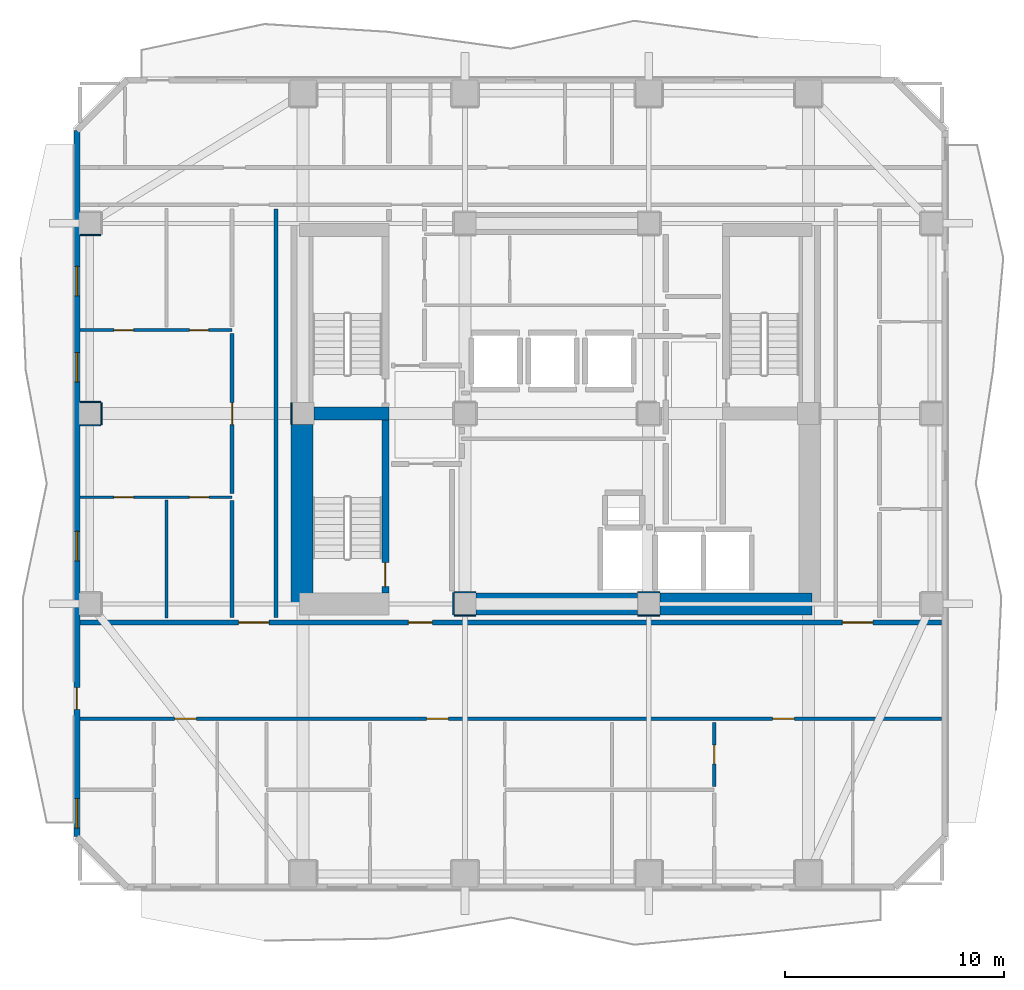
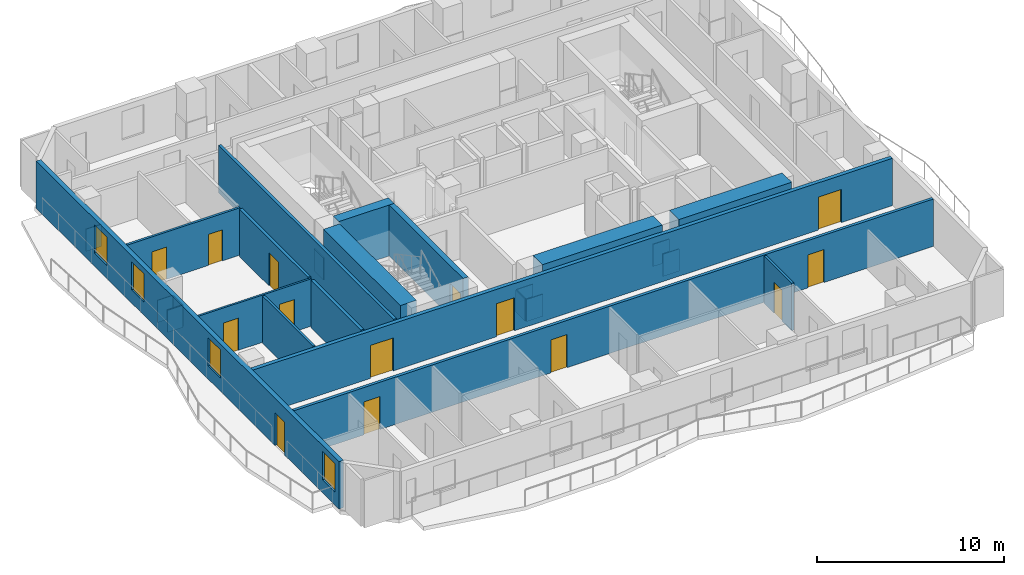
# One storey, part 3 of 11: 25 walls, 14 doors, 4 windows, 18 openings.
"""IFC4 building model written with IfcOpenShell, lengths in metres."""

from ifc_helpers import new_model, si_unit, direction, frame, frame_2d, origin, place, context, subcontext, project, spatial, rectangle, extrude, material, layer, layer_set, type_object, element, fill, save


model = new_model("IFC4")

# Units and contexts
model_context = context("Model", 3, precision=1e-05, world=origin(), true_north=direction((0.0, 1.0)))
body_context = subcontext(model_context, "Body", "Model", "MODEL_VIEW")
ifc_project = project(units=[si_unit("LENGTHUNIT", "METRE"), si_unit("AREAUNIT", "SQUARE_METRE"), si_unit("VOLUMEUNIT", "CUBIC_METRE"), si_unit("PLANEANGLEUNIT", "RADIAN"), si_unit("MASSUNIT", "GRAM", prefix="KILO")], contexts=[model_context])

# Site, building, storey
site_placement = place(None, origin())
site = spatial("IfcSite", under=ifc_project, at=site_placement, CompositionType="ELEMENT")
building_placement = place(site_placement, origin())
building = spatial("IfcBuilding", under=site, at=building_placement, Name="Solanera Arch Residences", CompositionType="ELEMENT")
storey_placement = place(building_placement, frame((0.0, 0.0, 112.719970703125)))
storey = spatial("IfcBuildingStorey", under=building, at=storey_placement, Name="L32", CompositionType="ELEMENT", Elevation=112.719970703125)

# Walls
ifc_material_1 = material(Name="Fire-Rated Gypsum Stud Partition", Category="gypsum")
ifc_layer_1 = layer(ifc_material_1, 0.06005859375)
ifc_layer_set_1 = layer_set([ifc_layer_1], Name="Fire-Rated Gypsum Stud Partition")
wall_type_1 = type_object("IfcWallType", Name="Column Acoustic Furring Wall 60", PredefinedType="PARTITIONING", material=ifc_layer_set_1)
for number, where, z_axis, x_axis, name in (
    (1, (20.300048828125, 21.468017578125, 0.0), (0.0, 0.0, 1.0), (1.0, 0.0, 0.0), "L32 Column Furring 1S"),
    (2, (20.300048828125, 22.531982421875, 0.0), (0.0, 0.0, 1.0), (1.0, 0.0, 0.0), "L32 Column Furring 1N"),
    (3, (20.26806640625, 21.5, 0.0), (0.0, 0.0, 1.0), (0.0, 1.0, 0.0), "L32 Column Furring 1W"),
    (4, (28.699951171875, 21.468017578125, 0.0), (0.0, 0.0, 1.0), (1.0, 0.0, 0.0), "L32 Column Furring 2S"),
    (5, (28.699951171875, 22.531982421875, 0.0), (0.0, 0.0, 1.0), (1.0, 0.0, 0.0), "L32 Column Furring 2N"),
):
    element("IfcWall", number, at=place(storey_placement, frame(where, z_axis=z_axis, x_axis=x_axis)), inside=storey, type_object=wall_type_1, Name=name, PredefinedType="PARTITIONING", context=body_context, shape_type="SweptSolid", body=[
        extrude(rectangle(XDim=1.0, YDim=0.06005859375, at=frame_2d((0.5, 0.0))), origin(), (0.0, 0.0, 1.0), 1.449951171875),
    ])
wall_1_placement = place(storey_placement, frame((12.867919921875, 30.2099609375, 0.0), z_axis=(0.0, 0.0, 1.0), x_axis=(0.0, 1.0, 0.0)))
element("IfcWall", 6, at=wall_1_placement, inside=storey, type_object=wall_type_1, Name="L32 Column Furring 5W", PredefinedType="PARTITIONING", context=body_context, shape_type="SweptSolid", body=[
    extrude(rectangle(XDim=0.97998046875, YDim=0.06005859375, at=frame_2d((0.489990234375, 0.0))), origin(), (0.0, 0.0, 1.0), 1.449951171875),
])
for number, where, z_axis, x_axis, name in (
    (7, (3.2099609375, 30.16796875, 0.0), (0.0, 0.0, 1.0), (1.0, 0.0, 0.0), "L32 Column Furring 19S"),
    (8, (3.2099609375, 31.23193359375, 0.0), (0.0, 0.0, 1.0), (1.0, 0.0, 0.0), "L32 Column Furring 19N"),
):
    element("IfcWall", number, at=place(storey_placement, frame(where, z_axis=z_axis, x_axis=x_axis)), inside=storey, type_object=wall_type_1, Name=name, PredefinedType="PARTITIONING", context=body_context, shape_type="SweptSolid", body=[
        extrude(rectangle(XDim=0.93994140625, YDim=0.06005859375, at=frame_2d((0.469970703125, 0.0))), origin(), (0.0, 0.0, 1.0), 1.449951171875),
    ])
wall_2_placement = place(storey_placement, frame((4.181884765625, 30.199951171875, 0.0), z_axis=(0.0, 0.0, 1.0), x_axis=(0.0, 1.0, 0.0)))
element("IfcWall", 9, at=wall_2_placement, inside=storey, type_object=wall_type_1, Name="L32 Column Furring 19E", PredefinedType="PARTITIONING", context=body_context, shape_type="SweptSolid", body=[
    extrude(rectangle(XDim=1.0, YDim=0.06005859375, at=frame_2d((0.5, 0.0))), origin(), (0.0, 0.0, 1.0), 1.449951171875),
])
wall_3_placement = place(storey_placement, frame((3.2099609375, 38.867919921875, 0.0), z_axis=(0.0, 0.0, 1.0), x_axis=(1.0, 0.0, 0.0)))
element("IfcWall", 10, at=wall_3_placement, inside=storey, type_object=wall_type_1, Name="L32 Column Furring 21S", PredefinedType="PARTITIONING", context=body_context, shape_type="SweptSolid", body=[
    extrude(rectangle(XDim=0.93994140625, YDim=0.06005859375, at=frame_2d((0.469970703125, 0.0))), origin(), (0.0, 0.0, 1.0), 1.449951171875),
])
ifc_material_2 = material(Name="Concrete C55/67 (f'c = 60 MPa)", Category="concrete")
ifc_layer_2 = layer(ifc_material_2, 1.0)
ifc_layer_set_2 = layer_set([ifc_layer_2], Name="Concrete C55/67 (f'c = 60 MPa)")
wall_type_2 = type_object("IfcWallType", Name="Core Shear Wall CW-1000", PredefinedType="SHEAR", material=ifc_layer_set_2)
wall_4_placement = place(storey_placement, frame((13.340087890625, 22.0, 0.0), z_axis=(0.0, 0.0, 1.0), x_axis=(0.0, 1.0, 0.0)))
element("IfcWall", 11, at=wall_4_placement, inside=storey, type_object=wall_type_2, Name="L32 West Core South Shear Wall", PredefinedType="SHEAR", context=body_context, shape_type="SweptSolid", body=[
    extrude(rectangle(XDim=8.195068359375, YDim=1.0, at=frame_2d((4.09765625, 0.0))), origin(), (0.0, 0.0, 1.0), 3.320068359375),
])
wall_5_placement = place(storey_placement, frame((29.705078125, 22.0, 0.0), z_axis=(0.0, 0.0, 1.0), x_axis=(1.0, 0.0, 0.0)))
element("IfcWall", 12, at=wall_5_placement, inside=storey, type_object=wall_type_2, Name="L32 South-East Core Shear Wall", PredefinedType="SHEAR", context=body_context, shape_type="SweptSolid", body=[
    extrude(rectangle(XDim=6.954833984375, YDim=1.0, at=frame_2d((3.4775390625, 0.0))), origin(), (0.0, 0.0, 1.0), 3.320068359375),
])
wall_6_placement = place(storey_placement, frame((21.304931640625, 22.0, 0.0), z_axis=(0.0, 0.0, 1.0), x_axis=(1.0, 0.0, 0.0)))
element("IfcWall", 13, at=wall_6_placement, inside=storey, type_object=wall_type_2, Name="L32 Central South Core Shear Wall", PredefinedType="SHEAR", context=body_context, shape_type="SweptSolid", body=[
    extrude(rectangle(XDim=7.39013671875, YDim=1.0, at=frame_2d((3.695068359375, 0.0))), origin(), (0.0, 0.0, 1.0), 3.320068359375),
])

# Wall, opening, door
ifc_material_3 = material(Name="Concrete C40/50 (f'c = 45 MPa)", Category="concrete")
ifc_layer_3 = layer(ifc_material_3, 0.320068359375)
ifc_layer_set_3 = layer_set([ifc_layer_3], Name="Concrete C40/50 (f'c = 45 MPa)")
wall_type_3 = type_object("IfcWallType", Name="Core Shear Wall CW-320", PredefinedType="SHEAR", material=ifc_layer_set_3)
wall_7_placement = place(storey_placement, frame((17.159912109375, 22.5, 0.0), z_axis=(0.0, 0.0, 1.0), x_axis=(0.0, 1.0, 0.0)))
wall_7 = element("IfcWall", 14, at=wall_7_placement, inside=storey, type_object=wall_type_3, Name="L32 Stair ST-T3 East Shear Wall", PredefinedType="SHEAR", context=body_context, shape_type="SweptSolid", body=[
    extrude(rectangle(XDim=7.89990234375, YDim=0.320068359375, at=frame_2d((3.949951171875, 0.0))), origin(), (0.0, 0.0, 1.0), 3.320068359375),
])
opening_1_placement = place(wall_7_placement, frame((0.2900390625, 0.0, 0.0)))
opening_1 = element("IfcOpeningElement", 15, at=opening_1_placement, cuts=wall_7, Name="Opening DF-01", PredefinedType="OPENING", context=body_context, shape_type="SweptSolid", body=[
    extrude(rectangle(XDim=1.10009765625, YDim=2.14990234375, at=frame_2d((0.550048828125, 1.074951171875))), frame((0.0, 0.169921875, 0.0), z_axis=(0.0, -1.0, 0.0), x_axis=(1.0, 0.0, 0.0)), (0.0, 0.0, 1.0), 0.3401),
])
ifc_material_4 = material(Name="Fire-Rated Architectural Hardwood", Category="wood")
door_type_1 = type_object("IfcDoorType", Name="Stair Exit Fire Door DF-01", OperationType="NOTDEFINED", PredefinedType="DOOR", material=ifc_material_4)
door_1_placement = place(opening_1_placement, origin())
door_1 = element("IfcDoor", 16, at=door_1_placement, inside=storey, type_object=door_type_1, Name="DR-L32-STAIR-ST-T3", OperationType="SINGLE_SWING_RIGHT", OverallHeight=2.14990234375, OverallWidth=1.10009765625, PredefinedType="DOOR", context=body_context, shape_type="SweptSolid", body=[
    extrude(rectangle(XDim=1.10009765625, YDim=2.14990234375, at=frame_2d((0.550048828125, 1.074951171875))), frame((0.0, 0.02490234375, 0.0), z_axis=(0.0, -1.0, 0.0), x_axis=(1.0, 0.0, 0.0)), (0.0, 0.0, 1.0), 0.050048828125),
])
fill(opening_1, door_1)

# Wall
ifc_material_5 = material(Name="Concrete C40/50 (f'c = 45 MPa)", Category="concrete")
ifc_layer_4 = layer(ifc_material_5, 0.60009765625)
ifc_layer_set_4 = layer_set([ifc_layer_4], Name="Concrete C40/50 (f'c = 45 MPa)")
wall_type_4 = type_object("IfcWallType", Name="Core Shear Wall CW-600", PredefinedType="SHEAR", material=ifc_layer_set_4)
wall_8_placement = place(storey_placement, frame((13.905029296875, 30.699951171875, 0.0), z_axis=(0.0, 0.0, 1.0), x_axis=(1.0, 0.0, 0.0)))
element("IfcWall", 17, at=wall_8_placement, inside=storey, type_object=wall_type_4, Name="L32 West Stair Divider Shear Wall", PredefinedType="SHEAR", context=body_context, shape_type="SweptSolid", body=[
    extrude(rectangle(XDim=3.4150390625, YDim=0.60009765625, at=frame_2d((1.70751953125, 0.0))), origin(), (0.0, 0.0, 1.0), 3.320068359375),
])

# Wall, openings, doors
ifc_material_6 = material(Name="Autoclaved Aerated Concrete Blockwork", Category="masonry")
ifc_layer_5 = layer(ifc_material_6, 0.179931640625)
ifc_layer_set_5 = layer_set([ifc_layer_5], Name="Autoclaved Aerated Concrete Blockwork")
wall_type_5 = type_object("IfcWallType", Name="Corridor Fire Partition 180", PredefinedType="PARTITIONING", material=ifc_layer_set_5)
wall_9_placement = place(storey_placement, frame((3.20703125, 16.75, 0.0), z_axis=(0.0, 0.0, 1.0), x_axis=(1.0, 0.0, 0.0)))
wall_9 = element("IfcWall", 18, at=wall_9_placement, inside=storey, type_object=wall_type_5, Name="L32 Interior Partition H6", PredefinedType="PARTITIONING", context=body_context, shape_type="SweptSolid", body=[
    extrude(rectangle(XDim=39.385986328125, YDim=0.179931640625, at=frame_2d((19.69287109375, 0.0))), origin(), (0.0, 0.0, 1.0), 3.080078125),
])
opening_2_placement = place(wall_9_placement, frame((4.31103515625, 0.0, 0.0)))
opening_2 = element("IfcOpeningElement", 19, at=opening_2_placement, cuts=wall_9, Name="Opening DI-01", PredefinedType="OPENING", context=body_context, shape_type="SweptSolid", body=[
    extrude(rectangle(XDim=1.0, YDim=2.14990234375, at=frame_2d((0.5, 1.074951171875))), frame((0.0, 0.10009765625, 0.0), z_axis=(0.0, -1.0, 0.0), x_axis=(1.0, 0.0, 0.0)), (0.0, 0.0, 1.0), 0.1999),
])
opening_3_placement = place(wall_9_placement, frame((15.833984375, 0.0, 0.0)))
opening_3 = element("IfcOpeningElement", 20, at=opening_3_placement, cuts=wall_9, Name="Opening DI-01", PredefinedType="OPENING", context=body_context, shape_type="SweptSolid", body=[
    extrude(rectangle(XDim=1.0, YDim=2.14990234375, at=frame_2d((0.5, 1.074951171875))), frame((0.0, 0.10009765625, 0.0), z_axis=(0.0, -1.0, 0.0), x_axis=(1.0, 0.0, 0.0)), (0.0, 0.0, 1.0), 0.1999),
])
opening_4_placement = place(wall_9_placement, frame((31.654052734375, 0.0, 0.0)))
opening_4 = element("IfcOpeningElement", 21, at=opening_4_placement, cuts=wall_9, Name="Opening DI-01", PredefinedType="OPENING", context=body_context, shape_type="SweptSolid", body=[
    extrude(rectangle(XDim=1.0, YDim=2.14990234375, at=frame_2d((0.5, 1.074951171875))), frame((0.0, 0.10009765625, 0.0), z_axis=(0.0, -1.0, 0.0), x_axis=(1.0, 0.0, 0.0)), (0.0, 0.0, 1.0), 0.1999),
])
ifc_material_7 = material(Name="Fire-Rated Architectural Hardwood", Category="wood")
door_type_2 = type_object("IfcDoorType", Name="Unit Entrance Fire Door DI-01", OperationType="NOTDEFINED", PredefinedType="DOOR", material=ifc_material_7)
door_2_placement = place(opening_2_placement, origin())
door_2 = element("IfcDoor", 22, at=door_2_placement, inside=storey, type_object=door_type_2, Name="DR-L32-IN-016", OperationType="SINGLE_SWING_LEFT", OverallHeight=2.14990234375, OverallWidth=1.0, PredefinedType="DOOR", context=body_context, shape_type="SweptSolid", body=[
    extrude(rectangle(XDim=1.0, YDim=2.14990234375, at=frame_2d((0.5, 1.074951171875))), frame((0.0, 0.02490234375, 0.0), z_axis=(0.0, -1.0, 0.0), x_axis=(1.0, 0.0, 0.0)), (0.0, 0.0, 1.0), 0.050048828125),
])
fill(opening_2, door_2)
door_3_placement = place(opening_3_placement, origin())
door_3 = element("IfcDoor", 23, at=door_3_placement, inside=storey, type_object=door_type_2, Name="DR-L32-IN-020", OperationType="SINGLE_SWING_LEFT", OverallHeight=2.14990234375, OverallWidth=1.0, PredefinedType="DOOR", context=body_context, shape_type="SweptSolid", body=[
    extrude(rectangle(XDim=1.0, YDim=2.14990234375, at=frame_2d((0.5, 1.074951171875))), frame((0.0, 0.02490234375, 0.0), z_axis=(0.0, -1.0, 0.0), x_axis=(1.0, 0.0, 0.0)), (0.0, 0.0, 1.0), 0.050048828125),
])
fill(opening_3, door_3)
door_4_placement = place(opening_4_placement, origin())
door_4 = element("IfcDoor", 24, at=door_4_placement, inside=storey, type_object=door_type_2, Name="DR-L32-IN-025", OperationType="SINGLE_SWING_RIGHT", OverallHeight=2.14990234375, OverallWidth=1.0, PredefinedType="DOOR", context=body_context, shape_type="SweptSolid", body=[
    extrude(rectangle(XDim=1.0, YDim=2.14990234375, at=frame_2d((0.5, 1.074951171875))), frame((0.0, 0.02490234375, 0.0), z_axis=(0.0, -1.0, 0.0), x_axis=(1.0, 0.0, 0.0)), (0.0, 0.0, 1.0), 0.050048828125),
])
fill(opening_4, door_4)

# Wall
wall_10_placement = place(storey_placement, frame((10.14990234375, 21.367919921875, 0.0), z_axis=(0.0, 0.0, 1.0), x_axis=(0.0, 1.0, 0.0)))
element("IfcWall", 25, at=wall_10_placement, inside=storey, type_object=wall_type_5, Name="L32 Interior Partition V8 1", PredefinedType="PARTITIONING", context=body_context, shape_type="SweptSolid", body=[
    extrude(rectangle(XDim=5.35400390625, YDim=0.179931640625, at=frame_2d((2.677001953125, 0.0))), origin(), (0.0, 0.0, 1.0), 3.080078125),
])

# Wall, opening, door
wall_11_placement = place(storey_placement, frame((10.14990234375, 27.0380859375, 0.0), z_axis=(0.0, 0.0, 1.0), x_axis=(0.0, 1.0, 0.0)))
wall_11 = element("IfcWall", 26, at=wall_11_placement, inside=storey, type_object=wall_type_5, Name="L32 Interior Partition V8 2", PredefinedType="PARTITIONING", context=body_context, shape_type="SweptSolid", body=[
    extrude(rectangle(XDim=7.31396484375, YDim=0.179931640625, at=frame_2d((3.656982421875, 0.0))), origin(), (0.0, 0.0, 1.0), 3.080078125),
])
opening_5_placement = place(wall_11_placement, frame((3.162109375, 0.0, 0.0)))
opening_5 = element("IfcOpeningElement", 27, at=opening_5_placement, cuts=wall_11, Name="Opening DI-01", PredefinedType="OPENING", context=body_context, shape_type="SweptSolid", body=[
    extrude(rectangle(XDim=1.0, YDim=2.14990234375, at=frame_2d((0.5, 1.074951171875))), frame((0.0, 0.10009765625, 0.0), z_axis=(0.0, -1.0, 0.0), x_axis=(1.0, 0.0, 0.0)), (0.0, 0.0, 1.0), 0.1999),
])
door_5_placement = place(opening_5_placement, origin())
door_5 = element("IfcDoor", 28, at=door_5_placement, inside=storey, type_object=door_type_2, Name="DR-L32-IN-036", OperationType="SINGLE_SWING_LEFT", OverallHeight=2.14990234375, OverallWidth=1.0, PredefinedType="DOOR", context=body_context, shape_type="SweptSolid", body=[
    extrude(rectangle(XDim=1.0, YDim=2.14990234375, at=frame_2d((0.5, 1.074951171875))), frame((0.0, 0.02490234375, 0.0), z_axis=(0.0, -1.0, 0.0), x_axis=(1.0, 0.0, 0.0)), (0.0, 0.0, 1.0), 0.050048828125),
])
fill(opening_5, door_5)

# Wall
wall_12_placement = place(storey_placement, frame((12.14990234375, 21.367919921875, 0.0), z_axis=(0.0, 0.0, 1.0), x_axis=(0.0, 1.0, 0.0)))
element("IfcWall", 29, at=wall_12_placement, inside=storey, type_object=wall_type_5, Name="L32 Interior Partition V9", PredefinedType="PARTITIONING", context=body_context, shape_type="SweptSolid", body=[
    extrude(rectangle(XDim=18.694091796875, YDim=0.179931640625, at=frame_2d((9.34716796875, 0.0))), origin(), (0.0, 0.0, 1.0), 3.080078125),
])

# Wall, openings, door, windows
ifc_material_8 = material(Name="Precast Concrete C35/45", Category="concrete")
ifc_layer_6 = layer(ifc_material_8, 0.280029296875)
ifc_layer_set_6 = layer_set([ifc_layer_6], Name="Precast Concrete C35/45")
wall_type_6 = type_object("IfcWallType", Name="Exterior Wall Precast Masonry-Frame 280", PredefinedType="STANDARD", material=ifc_layer_set_6)
wall_13_placement = place(storey_placement, frame((3.054931640625, 11.35498046875, 0.0), z_axis=(0.0, 0.0, 1.0), x_axis=(0.0, 1.0, 0.0)))
wall_13 = element("IfcWall", 30, at=wall_13_placement, inside=storey, type_object=wall_type_6, Name="L32 Tower Exterior Precast Masonry-Frame Wall W", PredefinedType="STANDARD", context=body_context, shape_type="SweptSolid", body=[
    extrude(rectangle(XDim=32.2900390625, YDim=0.280029296875, at=frame_2d((16.14501953125, 0.0))), origin(), (0.0, 0.0, 1.0), 3.080078125),
])
opening_6_placement = place(wall_13_placement, frame((5.818115234375, 0.0, 0.0)))
opening_6 = element("IfcOpeningElement", 31, at=opening_6_placement, cuts=wall_13, Name="Opening DB-01", PredefinedType="OPENING", context=body_context, shape_type="SweptSolid", body=[
    extrude(rectangle(XDim=1.0, YDim=2.14990234375, at=frame_2d((0.5, 1.074951171875))), frame((0.0, 0.14990234375, 0.0), z_axis=(0.0, -1.0, 0.0), x_axis=(1.0, 0.0, 0.0)), (0.0, 0.0, 1.0), 0.3),
])
opening_7_placement = place(wall_13_placement, frame((0.39501953125, 0.0, 0.85009765625)))
opening_7 = element("IfcOpeningElement", 32, at=opening_7_placement, cuts=wall_13, Name="Opening W-10", PredefinedType="OPENING", context=body_context, shape_type="SweptSolid", body=[
    extrude(rectangle(XDim=1.35009765625, YDim=1.85009765625, at=frame_2d((0.675048828125, 0.925048828125))), frame((0.0, 0.14990234375, 0.0), z_axis=(0.0, -1.0, 0.0), x_axis=(1.0, 0.0, 0.0)), (0.0, 0.0, 1.0), 0.3),
])
opening_8_placement = place(wall_13_placement, frame((20.780029296875, 0.0, 0.85009765625)))
opening_8 = element("IfcOpeningElement", 33, at=opening_8_placement, cuts=wall_13, Name="Opening W-10", PredefinedType="OPENING", context=body_context, shape_type="SweptSolid", body=[
    extrude(rectangle(XDim=1.35009765625, YDim=1.85009765625, at=frame_2d((0.675048828125, 0.925048828125))), frame((0.0, 0.14990234375, 0.0), z_axis=(0.0, -1.0, 0.0), x_axis=(1.0, 0.0, 0.0)), (0.0, 0.0, 1.0), 0.3),
])
opening_9_placement = place(wall_13_placement, frame((12.610107421875, 0.0, 0.85009765625)))
opening_9 = element("IfcOpeningElement", 34, at=opening_9_placement, cuts=wall_13, Name="Opening W-10", PredefinedType="OPENING", context=body_context, shape_type="SweptSolid", body=[
    extrude(rectangle(XDim=1.35009765625, YDim=1.85009765625, at=frame_2d((0.675048828125, 0.925048828125))), frame((0.0, 0.14990234375, 0.0), z_axis=(0.0, -1.0, 0.0), x_axis=(1.0, 0.0, 0.0)), (0.0, 0.0, 1.0), 0.3),
])
opening_10_placement = place(wall_13_placement, frame((24.72998046875, 0.0, 0.85009765625)))
opening_10 = element("IfcOpeningElement", 35, at=opening_10_placement, cuts=wall_13, Name="Opening W-10", PredefinedType="OPENING", context=body_context, shape_type="SweptSolid", body=[
    extrude(rectangle(XDim=1.35009765625, YDim=1.85009765625, at=frame_2d((0.675048828125, 0.925048828125))), frame((0.0, 0.14990234375, 0.0), z_axis=(0.0, -1.0, 0.0), x_axis=(1.0, 0.0, 0.0)), (0.0, 0.0, 1.0), 0.3),
])
ifc_material_9 = material(Name="Anodised Aluminium Alloy 6063-T6", Category="aluminium")
door_type_3 = type_object("IfcDoorType", Name="Glazed Balcony Swing Door DB-01", OperationType="NOTDEFINED", PredefinedType="DOOR", material=ifc_material_9)
door_6_placement = place(opening_6_placement, origin())
door_6 = element("IfcDoor", 36, at=door_6_placement, inside=storey, type_object=door_type_3, Name="DR-L32-OUT-04", OperationType="SINGLE_SWING_LEFT", OverallHeight=2.14990234375, OverallWidth=1.0, PredefinedType="DOOR", context=body_context, shape_type="SweptSolid", body=[
    extrude(rectangle(XDim=1.0, YDim=2.14990234375, at=frame_2d((0.5, 1.074951171875))), frame((0.0, 0.02490234375, 0.0), z_axis=(0.0, -1.0, 0.0), x_axis=(1.0, 0.0, 0.0)), (0.0, 0.0, 1.0), 0.050048828125),
])
fill(opening_6, door_6)
ifc_material_10 = material(Name="Double Glazed Low-E Laminated Glass", Category="glass")
window_type = type_object("IfcWindowType", Name="Punched Window W-10", PartitioningType="DOUBLE_PANEL_VERTICAL", PredefinedType="WINDOW", material=ifc_material_10)
window_1_placement = place(opening_7_placement, origin())
window_1 = element("IfcWindow", 37, at=window_1_placement, inside=storey, type_object=window_type, Name="L32 3201-BR1 Punched Window", OverallHeight=1.85009765625, OverallWidth=1.35009765625, PartitioningType="SINGLE_PANEL", PredefinedType="WINDOW", context=body_context, shape_type="SweptSolid", body=[
    extrude(rectangle(XDim=1.35009765625, YDim=1.85009765625, at=frame_2d((0.675048828125, 0.925048828125))), frame((0.0, 0.030029296875, 0.0), z_axis=(0.0, -1.0, 0.0), x_axis=(1.0, 0.0, 0.0)), (0.0, 0.0, 1.0), 0.06005859375),
])
fill(opening_7, window_1)
window_2_placement = place(opening_8_placement, origin())
window_2 = element("IfcWindow", 38, at=window_2_placement, inside=storey, type_object=window_type, Name="L32 3206-LIV Punched Window", OverallHeight=1.85009765625, OverallWidth=1.35009765625, PartitioningType="SINGLE_PANEL", PredefinedType="WINDOW", context=body_context, shape_type="SweptSolid", body=[
    extrude(rectangle(XDim=1.35009765625, YDim=1.85009765625, at=frame_2d((0.675048828125, 0.925048828125))), frame((0.0, 0.030029296875, 0.0), z_axis=(0.0, -1.0, 0.0), x_axis=(1.0, 0.0, 0.0)), (0.0, 0.0, 1.0), 0.06005859375),
])
fill(opening_8, window_2)
window_3_placement = place(opening_9_placement, origin())
window_3 = element("IfcWindow", 39, at=window_3_placement, inside=storey, type_object=window_type, Name="L32 3206-BR2 Punched Window", OverallHeight=1.85009765625, OverallWidth=1.35009765625, PartitioningType="SINGLE_PANEL", PredefinedType="WINDOW", context=body_context, shape_type="SweptSolid", body=[
    extrude(rectangle(XDim=1.35009765625, YDim=1.85009765625, at=frame_2d((0.675048828125, 0.925048828125))), frame((0.0, 0.030029296875, 0.0), z_axis=(0.0, -1.0, 0.0), x_axis=(1.0, 0.0, 0.0)), (0.0, 0.0, 1.0), 0.06005859375),
])
fill(opening_9, window_3)
window_4_placement = place(opening_10_placement, origin())
window_4 = element("IfcWindow", 40, at=window_4_placement, inside=storey, type_object=window_type, Name="L32 3206-BR1 Punched Window", OverallHeight=1.85009765625, OverallWidth=1.35009765625, PartitioningType="SINGLE_PANEL", PredefinedType="WINDOW", context=body_context, shape_type="SweptSolid", body=[
    extrude(rectangle(XDim=1.35009765625, YDim=1.85009765625, at=frame_2d((0.675048828125, 0.925048828125))), frame((0.0, 0.030029296875, 0.0), z_axis=(0.0, -1.0, 0.0), x_axis=(1.0, 0.0, 0.0)), (0.0, 0.0, 1.0), 0.06005859375),
])
fill(opening_10, window_4)

# Wall, openings, doors
ifc_material_11 = material(Name="Autoclaved Aerated Concrete Blockwork", Category="masonry")
ifc_layer_7 = layer(ifc_material_11, 0.239990234375)
ifc_layer_set_7 = layer_set([ifc_layer_7], Name="Autoclaved Aerated Concrete Blockwork")
wall_type_7 = type_object("IfcWallType", Name="Shaft Wall Fire-Rated 240", PredefinedType="PARTITIONING", material=ifc_layer_set_7)
wall_14_placement = place(storey_placement, frame((3.20703125, 21.14990234375, 0.0), z_axis=(0.0, 0.0, 1.0), x_axis=(1.0, 0.0, 0.0)))
wall_14 = element("IfcWall", 41, at=wall_14_placement, inside=storey, type_object=wall_type_7, Name="L32 Interior Partition H1", PredefinedType="PARTITIONING", context=body_context, shape_type="SweptSolid", body=[
    extrude(rectangle(XDim=39.385986328125, YDim=0.239990234375, at=frame_2d((19.69287109375, 0.0))), origin(), (0.0, 0.0, 1.0), 3.080078125),
])
opening_11_placement = place(wall_14_placement, frame((15.0029296875, 0.0, 0.0)))
opening_11 = element("IfcOpeningElement", 42, at=opening_11_placement, cuts=wall_14, Name="Opening DF-02", PredefinedType="OPENING", context=body_context, shape_type="SweptSolid", body=[
    extrude(rectangle(XDim=1.10009765625, YDim=2.14990234375, at=frame_2d((0.550048828125, 1.074951171875))), frame((0.0, 0.1298828125, 0.0), z_axis=(0.0, -1.0, 0.0), x_axis=(1.0, 0.0, 0.0)), (0.0, 0.0, 1.0), 0.26),
])
opening_12_placement = place(wall_14_placement, frame((7.242919921875, 0.0, 0.0)))
opening_12 = element("IfcOpeningElement", 43, at=opening_12_placement, cuts=wall_14, Name="Opening DF-03", PredefinedType="OPENING", context=body_context, shape_type="SweptSolid", body=[
    extrude(rectangle(XDim=1.39990234375, YDim=2.14990234375, at=frame_2d((0.699951171875, 1.074951171875))), frame((0.0, 0.1298828125, 0.0), z_axis=(0.0, -1.0, 0.0), x_axis=(1.0, 0.0, 0.0)), (0.0, 0.0, 1.0), 0.26),
])
opening_13_placement = place(wall_14_placement, frame((34.843017578125, 0.0, 0.0)))
opening_13 = element("IfcOpeningElement", 44, at=opening_13_placement, cuts=wall_14, Name="Opening DF-03", PredefinedType="OPENING", context=body_context, shape_type="SweptSolid", body=[
    extrude(rectangle(XDim=1.39990234375, YDim=2.14990234375, at=frame_2d((0.699951171875, 1.074951171875))), frame((0.0, 0.1298828125, 0.0), z_axis=(0.0, -1.0, 0.0), x_axis=(1.0, 0.0, 0.0)), (0.0, 0.0, 1.0), 0.26),
])
ifc_material_12 = material(Name="Fire-Rated Architectural Hardwood", Category="wood")
door_type_4 = type_object("IfcDoorType", Name="Corridor Smoke Door DF-03", OperationType="NOTDEFINED", PredefinedType="DOOR", material=ifc_material_12)
door_7_placement = place(opening_12_placement, origin())
door_7 = element("IfcDoor", 45, at=door_7_placement, inside=storey, type_object=door_type_4, Name="DR-L32-IN-010", OperationType="SINGLE_SWING_LEFT", OverallHeight=2.14990234375, OverallWidth=1.39990234375, PredefinedType="DOOR", context=body_context, shape_type="SweptSolid", body=[
    extrude(rectangle(XDim=1.39990234375, YDim=2.14990234375, at=frame_2d((0.699951171875, 1.074951171875))), frame((0.0, 0.02490234375, 0.0), z_axis=(0.0, -1.0, 0.0), x_axis=(1.0, 0.0, 0.0)), (0.0, 0.0, 1.0), 0.050048828125),
])
fill(opening_12, door_7)
door_8_placement = place(opening_13_placement, origin())
door_8 = element("IfcDoor", 46, at=door_8_placement, inside=storey, type_object=door_type_4, Name="DR-L32-IN-011", OperationType="SINGLE_SWING_RIGHT", OverallHeight=2.14990234375, OverallWidth=1.39990234375, PredefinedType="DOOR", context=body_context, shape_type="SweptSolid", body=[
    extrude(rectangle(XDim=1.39990234375, YDim=2.14990234375, at=frame_2d((0.699951171875, 1.074951171875))), frame((0.0, 0.02490234375, 0.0), z_axis=(0.0, -1.0, 0.0), x_axis=(1.0, 0.0, 0.0)), (0.0, 0.0, 1.0), 0.050048828125),
])
fill(opening_13, door_8)
ifc_material_13 = material(Name="Fire-Rated Architectural Hardwood", Category="wood")
door_type_5 = type_object("IfcDoorType", Name="Firefighting Lobby Fire Door DF-02", OperationType="NOTDEFINED", PredefinedType="DOOR", material=ifc_material_13)
door_9_placement = place(opening_11_placement, origin())
door_9 = element("IfcDoor", 47, at=door_9_placement, inside=storey, type_object=door_type_5, Name="DR-L32-IN-008", OperationType="SINGLE_SWING_LEFT", OverallHeight=2.14990234375, OverallWidth=1.10009765625, PredefinedType="DOOR", context=body_context, shape_type="SweptSolid", body=[
    extrude(rectangle(XDim=1.10009765625, YDim=2.14990234375, at=frame_2d((0.550048828125, 1.074951171875))), frame((0.0, 0.02490234375, 0.0), z_axis=(0.0, -1.0, 0.0), x_axis=(1.0, 0.0, 0.0)), (0.0, 0.0, 1.0), 0.050048828125),
])
fill(opening_11, door_9)

ifc_material_14 = material(Name="Fire-Rated Gypsum Stud Partition", Category="gypsum")
ifc_layer_8 = layer(ifc_material_14, 0.1201171875)
ifc_layer_set_8 = layer_set([ifc_layer_8], Name="Fire-Rated Gypsum Stud Partition")
wall_type_8 = type_object("IfcWallType", Name="Unit Drywall Partition 120", PredefinedType="PARTITIONING", material=ifc_layer_set_8)
wall_15_placement = place(storey_placement, frame((3.20703125, 26.8798828125, 0.0), z_axis=(0.0, 0.0, 1.0), x_axis=(1.0, 0.0, 0.0)))
wall_15 = element("IfcWall", 48, at=wall_15_placement, inside=storey, type_object=wall_type_8, Name="L32 Interior Partition H19", PredefinedType="PARTITIONING", context=body_context, shape_type="SweptSolid", body=[
    extrude(rectangle(XDim=6.94287109375, YDim=0.1201171875, at=frame_2d((3.471435546875, 0.0))), origin(), (0.0, 0.0, 1.0), 3.080078125),
])
opening_14_placement = place(wall_15_placement, frame((4.986083984375, 0.0, 0.0)))
opening_14 = element("IfcOpeningElement", 49, at=opening_14_placement, cuts=wall_15, Name="Opening DI-02", PredefinedType="OPENING", context=body_context, shape_type="SweptSolid", body=[
    extrude(rectangle(XDim=0.89990234375, YDim=2.10009765625, at=frame_2d((0.449951171875, 1.050048828125))), frame((0.0, 0.070068359375, 0.0), z_axis=(0.0, -1.0, 0.0), x_axis=(1.0, 0.0, 0.0)), (0.0, 0.0, 1.0), 0.1401),
])
opening_15_placement = place(wall_15_placement, frame((1.537109375, 0.0, 0.0)))
opening_15 = element("IfcOpeningElement", 50, at=opening_15_placement, cuts=wall_15, Name="Opening DI-03", PredefinedType="OPENING", context=body_context, shape_type="SweptSolid", body=[
    extrude(rectangle(XDim=0.89990234375, YDim=2.10009765625, at=frame_2d((0.449951171875, 1.050048828125))), frame((0.0, 0.070068359375, 0.0), z_axis=(0.0, -1.0, 0.0), x_axis=(1.0, 0.0, 0.0)), (0.0, 0.0, 1.0), 0.1401),
])
ifc_material_15 = material(Name="Fire-Rated Architectural Hardwood", Category="wood")
door_type_6 = type_object("IfcDoorType", Name="Bedroom Swing Door DI-03", OperationType="NOTDEFINED", PredefinedType="DOOR", material=ifc_material_15)
door_10_placement = place(opening_15_placement, origin())
door_10 = element("IfcDoor", 51, at=door_10_placement, inside=storey, type_object=door_type_6, Name="DR-L32-IN-038", OperationType="SINGLE_SWING_LEFT", OverallHeight=2.10009765625, OverallWidth=0.89990234375, PredefinedType="DOOR", context=body_context, shape_type="SweptSolid", body=[
    extrude(rectangle(XDim=0.89990234375, YDim=2.10009765625, at=frame_2d((0.449951171875, 1.050048828125))), frame((0.0, 0.02490234375, 0.0), z_axis=(0.0, -1.0, 0.0), x_axis=(1.0, 0.0, 0.0)), (0.0, 0.0, 1.0), 0.050048828125),
])
fill(opening_15, door_10)
ifc_material_16 = material(Name="Fire-Rated Architectural Hardwood", Category="wood")
door_type_7 = type_object("IfcDoorType", Name="Suite Room Swing Door DI-02", OperationType="NOTDEFINED", PredefinedType="DOOR", material=ifc_material_16)
door_11_placement = place(opening_14_placement, origin())
door_11 = element("IfcDoor", 52, at=door_11_placement, inside=storey, type_object=door_type_7, Name="DR-L32-IN-037", OperationType="SINGLE_SWING_RIGHT", OverallHeight=2.10009765625, OverallWidth=0.89990234375, PredefinedType="DOOR", context=body_context, shape_type="SweptSolid", body=[
    extrude(rectangle(XDim=0.89990234375, YDim=2.10009765625, at=frame_2d((0.449951171875, 1.050048828125))), frame((0.0, 0.02490234375, 0.0), z_axis=(0.0, -1.0, 0.0), x_axis=(1.0, 0.0, 0.0)), (0.0, 0.0, 1.0), 0.050048828125),
])
fill(opening_14, door_11)

ifc_material_17 = material(Name="Autoclaved Aerated Concrete Blockwork", Category="masonry")
ifc_layer_9 = layer(ifc_material_17, 0.139892578125)
ifc_layer_set_9 = layer_set([ifc_layer_9], Name="Autoclaved Aerated Concrete Blockwork")
wall_type_9 = type_object("IfcWallType", Name="Wet-Room Partition 140", PredefinedType="PARTITIONING", material=ifc_layer_set_9)
wall_16_placement = place(storey_placement, frame((3.20703125, 34.52001953125, 0.0), z_axis=(0.0, 0.0, 1.0), x_axis=(1.0, 0.0, 0.0)))
wall_16 = element("IfcWall", 53, at=wall_16_placement, inside=storey, type_object=wall_type_9, Name="L32 Interior Partition H16", PredefinedType="PARTITIONING", context=body_context, shape_type="SweptSolid", body=[
    extrude(rectangle(XDim=6.94287109375, YDim=0.139892578125, at=frame_2d((3.471435546875, 0.0))), origin(), (0.0, 0.0, 1.0), 3.080078125),
])
opening_16_placement = place(wall_16_placement, frame((5.006103515625, 0.0, 0.0)))
opening_16 = element("IfcOpeningElement", 54, at=opening_16_placement, cuts=wall_16, Name="Opening DI-05", PredefinedType="OPENING", context=body_context, shape_type="SweptSolid", body=[
    extrude(rectangle(XDim=0.860107421875, YDim=2.02001953125, at=frame_2d((0.43017578125, 1.010009765625))), frame((0.0, 0.079833984375, 0.0), z_axis=(0.0, -1.0, 0.0), x_axis=(1.0, 0.0, 0.0)), (0.0, 0.0, 1.0), 0.1599),
])
opening_17_placement = place(wall_16_placement, frame((1.537109375, 0.0, 0.0)))
opening_17 = element("IfcOpeningElement", 55, at=opening_17_placement, cuts=wall_16, Name="Opening DI-03", PredefinedType="OPENING", context=body_context, shape_type="SweptSolid", body=[
    extrude(rectangle(XDim=0.89990234375, YDim=2.10009765625, at=frame_2d((0.449951171875, 1.050048828125))), frame((0.0, 0.079833984375, 0.0), z_axis=(0.0, -1.0, 0.0), x_axis=(1.0, 0.0, 0.0)), (0.0, 0.0, 1.0), 0.1599),
])
ifc_material_18 = material(Name="Fire-Rated Architectural Hardwood", Category="wood")
door_type_8 = type_object("IfcDoorType", Name="Bathroom Swing Door DI-05", OperationType="NOTDEFINED", PredefinedType="DOOR", material=ifc_material_18)
door_12_placement = place(opening_16_placement, origin())
door_12 = element("IfcDoor", 56, at=door_12_placement, inside=storey, type_object=door_type_8, Name="DR-L32-IN-039", OperationType="SINGLE_SWING_RIGHT", OverallHeight=2.02001953125, OverallWidth=0.860107421875, PredefinedType="DOOR", context=body_context, shape_type="SweptSolid", body=[
    extrude(rectangle(XDim=0.860107421875, YDim=2.02001953125, at=frame_2d((0.43017578125, 1.010009765625))), frame((0.0, 0.02490234375, 0.0), z_axis=(0.0, -1.0, 0.0), x_axis=(1.0, 0.0, 0.0)), (0.0, 0.0, 1.0), 0.050048828125),
])
fill(opening_16, door_12)
door_13_placement = place(opening_17_placement, origin())
door_13 = element("IfcDoor", 57, at=door_13_placement, inside=storey, type_object=door_type_6, Name="DR-L32-IN-040", OperationType="SINGLE_SWING_LEFT", OverallHeight=2.10009765625, OverallWidth=0.89990234375, PredefinedType="DOOR", context=body_context, shape_type="SweptSolid", body=[
    extrude(rectangle(XDim=0.89990234375, YDim=2.10009765625, at=frame_2d((0.449951171875, 1.050048828125))), frame((0.0, 0.02490234375, 0.0), z_axis=(0.0, -1.0, 0.0), x_axis=(1.0, 0.0, 0.0)), (0.0, 0.0, 1.0), 0.050048828125),
])
fill(opening_17, door_13)

# Wall
wall_17_placement = place(storey_placement, frame((7.162109375, 21.347900390625, 0.0), z_axis=(0.0, 0.0, 1.0), x_axis=(0.0, 1.0, 0.0)))
element("IfcWall", 58, at=wall_17_placement, inside=storey, type_object=wall_type_9, Name="L32 Interior Partition V17", PredefinedType="PARTITIONING", context=body_context, shape_type="SweptSolid", body=[
    extrude(rectangle(XDim=5.39404296875, YDim=0.139892578125, at=frame_2d((2.697021484375, 0.0))), origin(), (0.0, 0.0, 1.0), 3.080078125),
])

# Wall, opening, door
wall_18_placement = place(storey_placement, frame((32.195068359375, 13.652099609375, 0.0), z_axis=(0.0, 0.0, 1.0), x_axis=(0.0, 1.0, 0.0)))
wall_18 = element("IfcWall", 59, at=wall_18_placement, inside=storey, type_object=wall_type_9, Name="L32 Interior Partition V24 2", PredefinedType="PARTITIONING", context=body_context, shape_type="SweptSolid", body=[
    extrude(rectangle(XDim=2.929931640625, YDim=0.139892578125, at=frame_2d((1.46484375, 0.0))), origin(), (0.0, 0.0, 1.0), 3.080078125),
])
opening_18_placement = place(wall_18_placement, frame((1.031982421875, 0.0, 0.0)))
opening_18 = element("IfcOpeningElement", 60, at=opening_18_placement, cuts=wall_18, Name="Opening DI-05", PredefinedType="OPENING", context=body_context, shape_type="SweptSolid", body=[
    extrude(rectangle(XDim=0.860107421875, YDim=2.02001953125, at=frame_2d((0.43017578125, 1.010009765625))), frame((0.0, 0.079833984375, 0.0), z_axis=(0.0, -1.0, 0.0), x_axis=(1.0, 0.0, 0.0)), (0.0, 0.0, 1.0), 0.1599),
])
door_14_placement = place(opening_18_placement, origin())
door_14 = element("IfcDoor", 61, at=door_14_placement, inside=storey, type_object=door_type_8, Name="DR-L32-IN-026", OperationType="SINGLE_SWING_LEFT", OverallHeight=2.02001953125, OverallWidth=0.860107421875, PredefinedType="DOOR", context=body_context, shape_type="SweptSolid", body=[
    extrude(rectangle(XDim=0.860107421875, YDim=2.02001953125, at=frame_2d((0.43017578125, 1.010009765625))), frame((0.0, 0.02490234375, 0.0), z_axis=(0.0, -1.0, 0.0), x_axis=(1.0, 0.0, 0.0)), (0.0, 0.0, 1.0), 0.050048828125),
])
fill(opening_18, door_14)

save(model, "model.ifc")
